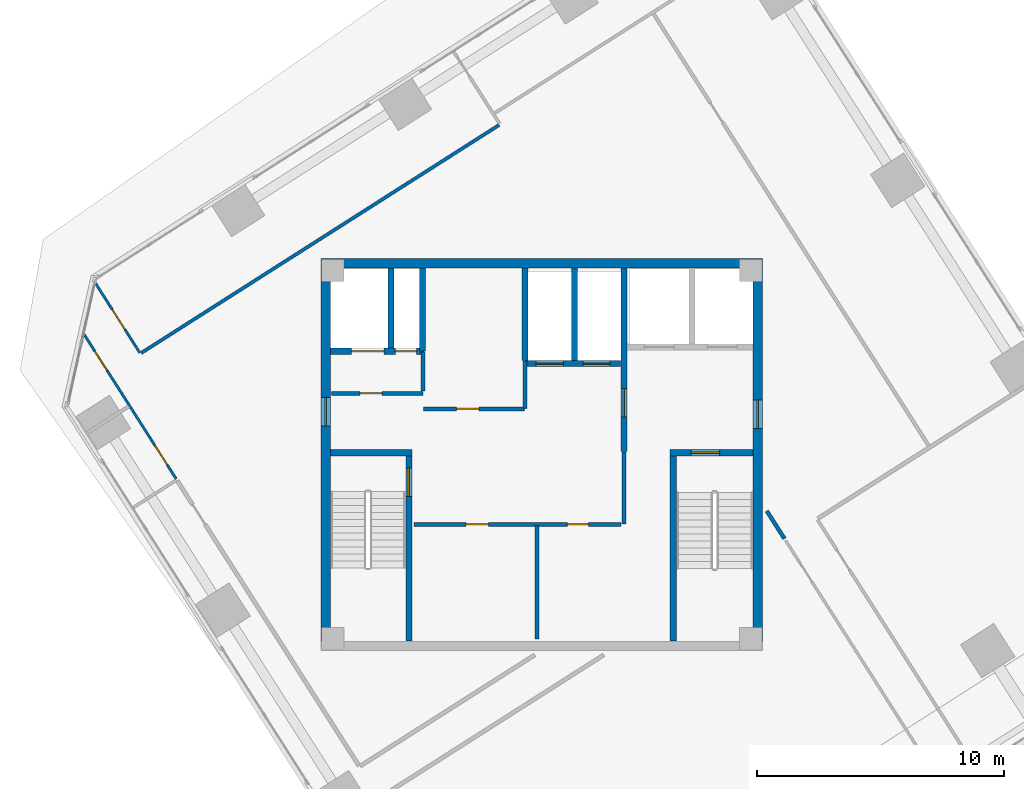
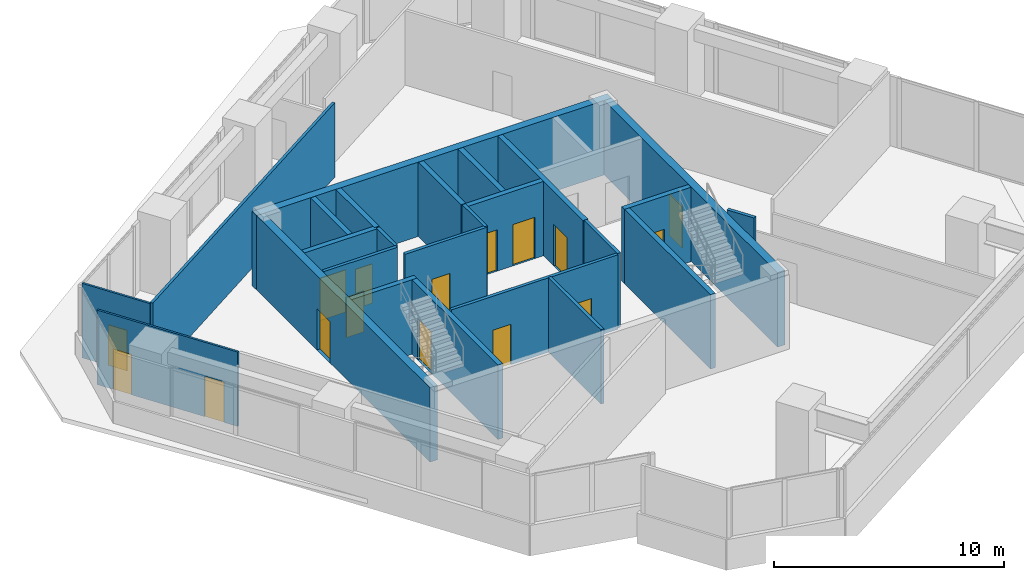
# One storey, part 11 of 15: 25 walls, 16 doors, 16 openings.
"""IFC4 building model written with IfcOpenShell, lengths in metres."""

from ifc_helpers import new_model, si_unit, direction, frame, frame_2d, origin, place, context, subcontext, project, spatial, rectangle, extrude, source, transform, mapped, material, layer, layer_set, type_object, element, fill, save


model = new_model("IFC4")

# Units and contexts
model_context = context("Model", 3, precision=1e-05, world=origin(), true_north=direction((0.0, 1.0)))
body_context = subcontext(model_context, "Body", "Model", "MODEL_VIEW")
ifc_project = project(units=[si_unit("LENGTHUNIT", "METRE"), si_unit("AREAUNIT", "SQUARE_METRE"), si_unit("VOLUMEUNIT", "CUBIC_METRE"), si_unit("PLANEANGLEUNIT", "RADIAN"), si_unit("MASSUNIT", "GRAM", prefix="KILO")], contexts=[model_context])

# Site, building, storey
site_placement = place(None, origin())
site = spatial("IfcSite", under=ifc_project, at=site_placement, CompositionType="ELEMENT")
building_placement = place(site_placement, origin())
building = spatial("IfcBuilding", under=site, at=building_placement, Name="Torre Montelarca", CompositionType="ELEMENT")
storey_placement = place(building_placement, frame((0.0, 0.0, 307.199951171875)))
storey = spatial("IfcBuildingStorey", under=building, at=storey_placement, Name="L69", CompositionType="ELEMENT", Elevation=307.199951171875)

# Wall, opening, door
ifc_material_1 = material(Name="Concrete C40/50", Category="concrete")
ifc_layer_1 = layer(ifc_material_1, 0.25, Name="Concrete C40/50", Category="concrete")
ifc_layer_set_1 = layer_set([ifc_layer_1], Name="Concrete C40/50")
wall_type_1 = type_object("IfcWallType", Name="CW-SHAFT-250", PredefinedType="SHEAR", material=ifc_layer_set_1)
wall_1_placement = place(storey_placement, frame((12.625, 24.4599609375, 0.0), z_axis=(0.0, 0.0, 1.0), x_axis=(0.0, 1.0, 0.0)))
wall_1 = element("IfcWall", 1, at=wall_1_placement, inside=storey, type_object=wall_type_1, Name="L69 Core Shear Wall SH-ST1-E", PredefinedType="SHEAR", context=body_context, shape_type="SweptSolid", body=[
    extrude(rectangle(XDim=7.489990234375, YDim=0.25, at=frame_2d((3.7451171875, 0.0))), origin(), (0.0, 0.0, 1.0), 3.9599609375),
])
opening_1_placement = place(wall_1_placement, frame((5.85009765625, 0.0, 0.0)))
opening_1 = element("IfcOpeningElement", 2, at=opening_1_placement, cuts=wall_1, Name="Opening FD-ST1", PredefinedType="OPENING", context=body_context, shape_type="SweptSolid", body=[
    extrude(rectangle(XDim=1.14990234375, YDim=2.199951171875, at=frame_2d((0.574951171875, 1.10009765625))), frame((0.0, 0.135009765625, 0.0), z_axis=(0.0, -1.0, 0.0), x_axis=(1.0, 0.0, 0.0)), (0.0, 0.0, 1.0), 0.27001953125),
])
ifc_material_2 = material(Name="Galvanized steel fire door", Category="steel")
door_type_1 = type_object("IfcDoorType", Name="DR-STAIR-115", OperationType="NOTDEFINED", PredefinedType="DOOR", material=ifc_material_2)
shared_shape_1 = source(origin(), body_context, "Body", "SweptSolid", [
    extrude(rectangle(XDim=1.14990234375, YDim=2.199951171875, at=frame_2d((0.574951171875, 1.10009765625))), frame((0.0, 0.02490234375, 0.0), z_axis=(0.0, -1.0, 0.0), x_axis=(1.0, 0.0, 0.0)), (0.0, 0.0, 1.0), 0.050048828125),
])
door_1_placement = place(opening_1_placement, origin())
door_1 = element("IfcDoor", 3, at=door_1_placement, inside=storey, type_object=door_type_1, Name="L69 Exit Stair ST1 Fire Door", OperationType="SINGLE_SWING_RIGHT", OverallHeight=2.199951171875, OverallWidth=1.14990234375, PredefinedType="DOOR", context=body_context, shape_type="MappedRepresentation", body=[
    mapped(shared_shape_1, transform((0.0, 0.0, 0.0), scale=1.0)),
])
fill(opening_1, door_1)

# Walls
wall_2_placement = place(storey_placement, frame((9.4599609375, 32.074951171875, 0.0), z_axis=(0.0, 0.0, 1.0), x_axis=(1.0, 0.0, 0.0)))
element("IfcWall", 4, at=wall_2_placement, inside=storey, type_object=wall_type_1, Name="L69 Core Shear Wall SH-ST1-N", PredefinedType="SHEAR", context=body_context, shape_type="SweptSolid", body=[
    extrude(rectangle(XDim=3.2900390625, YDim=0.25, at=frame_2d((1.64501953125, 0.0))), origin(), (0.0, 0.0, 1.0), 3.9599609375),
])
wall_3_placement = place(storey_placement, frame((23.31494140625, 24.4599609375, 0.0), z_axis=(0.0, 0.0, 1.0), x_axis=(0.0, 1.0, 0.0)))
element("IfcWall", 5, at=wall_3_placement, inside=storey, type_object=wall_type_1, Name="L69 Core Shear Wall SH-ST2-W", PredefinedType="SHEAR", context=body_context, shape_type="SweptSolid", body=[
    extrude(rectangle(XDim=7.489990234375, YDim=0.25, at=frame_2d((3.7451171875, 0.0))), origin(), (0.0, 0.0, 1.0), 3.9599609375),
])

# Wall, opening, door
wall_4_placement = place(storey_placement, frame((23.18994140625, 32.074951171875, 0.0), z_axis=(0.0, 0.0, 1.0), x_axis=(1.0, 0.0, 0.0)))
wall_4 = element("IfcWall", 6, at=wall_4_placement, inside=storey, type_object=wall_type_1, Name="L69 Core Shear Wall SH-ST2-N", PredefinedType="SHEAR", context=body_context, shape_type="SweptSolid", body=[
    extrude(rectangle(XDim=3.35009765625, YDim=0.25, at=frame_2d((1.675048828125, 0.0))), origin(), (0.0, 0.0, 1.0), 3.9599609375),
])
opening_2_placement = place(wall_4_placement, frame((0.85009765625, 0.0, 0.0)))
opening_2 = element("IfcOpeningElement", 7, at=opening_2_placement, cuts=wall_4, Name="Opening FD-ST1", PredefinedType="OPENING", context=body_context, shape_type="SweptSolid", body=[
    extrude(rectangle(XDim=1.14990234375, YDim=2.199951171875, at=frame_2d((0.574951171875, 1.10009765625))), frame((0.0, 0.135009765625, 0.0), z_axis=(0.0, -1.0, 0.0), x_axis=(1.0, 0.0, 0.0)), (0.0, 0.0, 1.0), 0.27001953125),
])
door_2_placement = place(opening_2_placement, origin())
door_2 = element("IfcDoor", 8, at=door_2_placement, inside=storey, type_object=door_type_1, Name="L69 Exit Stair ST2 Fire Door", OperationType="SINGLE_SWING_RIGHT", OverallHeight=2.199951171875, OverallWidth=1.14990234375, PredefinedType="DOOR", context=body_context, shape_type="MappedRepresentation", body=[
    mapped(shared_shape_1, transform((0.0, 0.0, 0.0), scale=1.0)),
])
fill(opening_2, door_2)

wall_5_placement = place(storey_placement, frame((21.320068359375, 32.1201171875, 0.0), z_axis=(0.0, 0.0, 1.0), x_axis=(0.0, 1.0, 0.0)))
wall_5 = element("IfcWall", 9, at=wall_5_placement, inside=storey, type_object=wall_type_1, Name="L69 Core Shear Wall SH-FFL-W", PredefinedType="SHEAR", context=body_context, shape_type="SweptSolid", body=[
    extrude(rectangle(XDim=7.419921875, YDim=0.25, at=frame_2d((3.7099609375, 0.0))), origin(), (0.0, 0.0, 1.0), 3.9599609375),
])
opening_3_placement = place(wall_5_placement, frame((1.39990234375, 0.0, 0.0)))
opening_3 = element("IfcOpeningElement", 10, at=opening_3_placement, cuts=wall_5, Name="Opening FD-LB1", PredefinedType="OPENING", context=body_context, shape_type="SweptSolid", body=[
    extrude(rectangle(XDim=1.14990234375, YDim=2.199951171875, at=frame_2d((0.574951171875, 1.10009765625))), frame((0.0, 0.135009765625, 0.0), z_axis=(0.0, -1.0, 0.0), x_axis=(1.0, 0.0, 0.0)), (0.0, 0.0, 1.0), 0.27001953125),
])
ifc_material_3 = material(Name="Acoustic timber-veneered fire door", Category="wood")
door_type_2 = type_object("IfcDoorType", Name="DR-LOBBY-115", OperationType="NOTDEFINED", PredefinedType="DOOR", material=ifc_material_3)
shared_shape_2 = source(origin(), body_context, "Body", "SweptSolid", [
    extrude(rectangle(XDim=1.14990234375, YDim=2.199951171875, at=frame_2d((0.574951171875, 1.10009765625))), frame((0.0, 0.02490234375, 0.0), z_axis=(0.0, -1.0, 0.0), x_axis=(1.0, 0.0, 0.0)), (0.0, 0.0, 1.0), 0.050048828125),
])
door_3_placement = place(opening_3_placement, origin())
door_3 = element("IfcDoor", 11, at=door_3_placement, inside=storey, type_object=door_type_2, Name="L69 Lift Lobby to Firefighting Lobby Smoke Door", OperationType="SINGLE_SWING_LEFT", OverallHeight=2.199951171875, OverallWidth=1.14990234375, PredefinedType="DOOR", context=body_context, shape_type="MappedRepresentation", body=[
    mapped(shared_shape_2, transform((0.0, 0.0, 0.0), scale=1.0)),
])
fill(opening_3, door_3)

# Wall, openings, doors
wall_6_placement = place(storey_placement, frame((9.4599609375, 36.179931640625, 0.0), z_axis=(0.0, 0.0, 1.0), x_axis=(1.0, 0.0, 0.0)))
wall_6 = element("IfcWall", 12, at=wall_6_placement, inside=storey, type_object=wall_type_1, Name="L69 Core Shear Wall SH-SV1-S", PredefinedType="SHEAR", context=body_context, shape_type="SweptSolid", body=[
    extrude(rectangle(XDim=3.7900390625, YDim=0.25, at=frame_2d((1.89501953125, 0.0))), origin(), (0.0, 0.0, 1.0), 3.9599609375),
])
opening_4_placement = place(wall_6_placement, frame((2.6201171875, 0.0, 0.0)))
opening_4 = element("IfcOpeningElement", 13, at=opening_4_placement, cuts=wall_6, Name="Opening FD-085", PredefinedType="OPENING", context=body_context, shape_type="SweptSolid", body=[
    extrude(rectangle(XDim=0.85009765625, YDim=2.10009765625, at=frame_2d((0.425048828125, 1.050048828125))), frame((0.0, 0.135009765625, 0.0), z_axis=(0.0, -1.0, 0.0), x_axis=(1.0, 0.0, 0.0)), (0.0, 0.0, 1.0), 0.27001953125),
])
opening_5_placement = place(wall_6_placement, frame((0.85009765625, 0.0, 0.0)))
opening_5 = element("IfcOpeningElement", 14, at=opening_5_placement, cuts=wall_6, Name="Opening LD-130", PredefinedType="OPENING", context=body_context, shape_type="SweptSolid", body=[
    extrude(rectangle(XDim=1.300048828125, YDim=2.25, at=frame_2d((0.64990234375, 1.125))), frame((0.0, 0.135009765625, 0.0), z_axis=(0.0, -1.0, 0.0), x_axis=(1.0, 0.0, 0.0)), (0.0, 0.0, 1.0), 0.27001953125),
])
ifc_material_4 = material(Name="Steel riser access fire door", Category="steel")
door_type_3 = type_object("IfcDoorType", Name="DR-RISER-085", OperationType="NOTDEFINED", PredefinedType="DOOR", material=ifc_material_4)
shared_shape_3 = source(origin(), body_context, "Body", "SweptSolid", [
    extrude(rectangle(XDim=0.85009765625, YDim=2.10009765625, at=frame_2d((0.425048828125, 1.050048828125))), frame((0.0, 0.02490234375, 0.0), z_axis=(0.0, -1.0, 0.0), x_axis=(1.0, 0.0, 0.0)), (0.0, 0.0, 1.0), 0.050048828125),
])
door_4_placement = place(opening_4_placement, origin())
door_4 = element("IfcDoor", 15, at=door_4_placement, inside=storey, type_object=door_type_3, Name="L69 Electrical Riser Shaft Access Door", OperationType="SINGLE_SWING_RIGHT", OverallHeight=2.10009765625, OverallWidth=0.85009765625, PredefinedType="DOOR", context=body_context, shape_type="MappedRepresentation", body=[
    mapped(shared_shape_3, transform((0.0, 0.0, 0.0), scale=1.0)),
])
fill(opening_4, door_4)
ifc_material_5 = material(Name="Brushed stainless steel AISI 316", Category="steel")
door_type_4 = type_object("IfcDoorType", Name="DR-LIFT-130", OperationType="SLIDING_TO_LEFT", PredefinedType="DOOR", material=ifc_material_5)
shared_shape_4 = source(origin(), body_context, "Body", "SweptSolid", [
    extrude(rectangle(XDim=1.300048828125, YDim=2.25, at=frame_2d((0.64990234375, 1.125))), frame((0.0, 0.02490234375, 0.0), z_axis=(0.0, -1.0, 0.0), x_axis=(1.0, 0.0, 0.0)), (0.0, 0.0, 1.0), 0.050048828125),
])
door_5_placement = place(opening_5_placement, origin())
door_5 = element("IfcDoor", 16, at=door_5_placement, inside=storey, type_object=door_type_4, Name="L69 Lift Landing Sliding Door SV-1", OperationType="SLIDING_TO_LEFT", OverallHeight=2.25, OverallWidth=1.300048828125, PredefinedType="DOOR", context=body_context, shape_type="MappedRepresentation", body=[
    mapped(shared_shape_4, transform((0.0, 0.0, 0.0), scale=1.0)),
])
fill(opening_5, door_5)

# Walls
wall_7_placement = place(storey_placement, frame((11.89990234375, 36.31005859375, 0.0), z_axis=(0.0, 0.0, 1.0), x_axis=(0.0, 1.0, 0.0)))
element("IfcWall", 17, at=wall_7_placement, inside=storey, type_object=wall_type_1, Name="L69 Core Shear Wall SH-SV1-E", PredefinedType="SHEAR", context=body_context, shape_type="SweptSolid", body=[
    extrude(rectangle(XDim=3.22998046875, YDim=0.25, at=frame_2d((1.614990234375, 0.0))), origin(), (0.0, 0.0, 1.0), 3.9599609375),
])
wall_8_placement = place(storey_placement, frame((13.179931640625, 36.199951171875, 0.0), z_axis=(0.0, 0.0, 1.0), x_axis=(0.0, 1.0, 0.0)))
element("IfcWall", 18, at=wall_8_placement, inside=storey, type_object=wall_type_1, Name="L69 Core Shear Wall SH-RSR1-E", PredefinedType="SHEAR", context=body_context, shape_type="SweptSolid", body=[
    extrude(rectangle(XDim=3.340087890625, YDim=0.25, at=frame_2d((1.669921875, 0.0))), origin(), (0.0, 0.0, 1.0), 3.9599609375),
])

# Wall, openings, doors
wall_9_placement = place(storey_placement, frame((17.320068359375, 35.679931640625, 0.0), z_axis=(0.0, 0.0, 1.0), x_axis=(1.0, 0.0, 0.0)))
wall_9 = element("IfcWall", 19, at=wall_9_placement, inside=storey, type_object=wall_type_1, Name="L69 Core Shear Wall SH-PLH-S", PredefinedType="SHEAR", context=body_context, shape_type="SweptSolid", body=[
    extrude(rectangle(XDim=3.869873046875, YDim=0.25, at=frame_2d((1.93505859375, 0.0))), origin(), (0.0, 0.0, 1.0), 3.9599609375),
])
opening_6_placement = place(wall_9_placement, frame((0.449951171875, 0.0, 0.0)))
opening_6 = element("IfcOpeningElement", 20, at=opening_6_placement, cuts=wall_9, Name="Opening LD-110", PredefinedType="OPENING", context=body_context, shape_type="SweptSolid", body=[
    extrude(rectangle(XDim=1.10009765625, YDim=2.199951171875, at=frame_2d((0.550048828125, 1.10009765625))), frame((0.0, 0.135009765625, 0.0), z_axis=(0.0, -1.0, 0.0), x_axis=(1.0, 0.0, 0.0)), (0.0, 0.0, 1.0), 0.27001953125),
])
opening_7_placement = place(wall_9_placement, frame((2.35009765625, 0.0, 0.0)))
opening_7 = element("IfcOpeningElement", 21, at=opening_7_placement, cuts=wall_9, Name="Opening LD-110", PredefinedType="OPENING", context=body_context, shape_type="SweptSolid", body=[
    extrude(rectangle(XDim=1.10009765625, YDim=2.199951171875, at=frame_2d((0.550048828125, 1.10009765625))), frame((0.0, 0.135009765625, 0.0), z_axis=(0.0, -1.0, 0.0), x_axis=(1.0, 0.0, 0.0)), (0.0, 0.0, 1.0), 0.27001953125),
])
door_type_5 = type_object("IfcDoorType", Name="DR-LIFT-110", OperationType="SLIDING_TO_LEFT", PredefinedType="DOOR", material=ifc_material_5)
shared_shape_5 = source(origin(), body_context, "Body", "SweptSolid", [
    extrude(rectangle(XDim=1.10009765625, YDim=2.199951171875, at=frame_2d((0.550048828125, 1.10009765625))), frame((0.0, 0.02490234375, 0.0), z_axis=(0.0, -1.0, 0.0), x_axis=(1.0, 0.0, 0.0)), (0.0, 0.0, 1.0), 0.050048828125),
])
door_6_placement = place(opening_6_placement, origin())
door_6 = element("IfcDoor", 22, at=door_6_placement, inside=storey, type_object=door_type_5, Name="L69 Lift Landing Sliding Door PL-H1", OperationType="SLIDING_TO_LEFT", OverallHeight=2.199951171875, OverallWidth=1.10009765625, PredefinedType="DOOR", context=body_context, shape_type="MappedRepresentation", body=[
    mapped(shared_shape_5, transform((0.0, 0.0, 0.0), scale=1.0)),
])
fill(opening_6, door_6)
door_7_placement = place(opening_7_placement, origin())
door_7 = element("IfcDoor", 23, at=door_7_placement, inside=storey, type_object=door_type_5, Name="L69 Lift Landing Sliding Door PL-H2", OperationType="SLIDING_TO_RIGHT", OverallHeight=2.199951171875, OverallWidth=1.10009765625, PredefinedType="DOOR", context=body_context, shape_type="MappedRepresentation", body=[
    mapped(shared_shape_5, transform((0.0, 0.0, 0.0), scale=1.0)),
])
fill(opening_7, door_7)

# Walls
for number, where, z_axis, x_axis, name in (
    (24, (17.320068359375, 35.81005859375, 0.0), (0.0, 0.0, 1.0), (0.0, 1.0, 0.0), "L69 Core Shear Wall SH-PLH-W"),
    (25, (19.320068359375, 35.81005859375, 0.0), (0.0, 0.0, 1.0), (0.0, 1.0, 0.0), "L69 Core Shear Wall SH-PLH-M"),
):
    element("IfcWall", number, at=place(storey_placement, frame(where, z_axis=z_axis, x_axis=x_axis)), inside=storey, type_object=wall_type_1, Name=name, PredefinedType="SHEAR", context=body_context, shape_type="SweptSolid", body=[
        extrude(rectangle(XDim=3.72998046875, YDim=0.25, at=frame_2d((1.864990234375, 0.0))), origin(), (0.0, 0.0, 1.0), 3.9599609375),
    ])

# Wall, opening, door
ifc_layer_2 = layer(ifc_material_1, 0.3798828125, Name="Concrete C40/50", Category="concrete")
ifc_layer_set_2 = layer_set([ifc_layer_2], Name="Concrete C40/50")
wall_type_2 = type_object("IfcWallType", Name="CW-SHEAR-380", PredefinedType="SHEAR", material=ifc_layer_set_2)
wall_10_placement = place(storey_placement, frame((9.260009765625, 24.449951171875, 0.0), z_axis=(0.0, 0.0, 1.0), x_axis=(0.0, 1.0, 0.0)))
wall_10 = element("IfcWall", 26, at=wall_10_placement, inside=storey, type_object=wall_type_2, Name="L69 Core Shear Wall CW-W", PredefinedType="SHEAR", context=body_context, shape_type="SweptSolid", body=[
    extrude(rectangle(XDim=15.10009765625, YDim=0.3798828125, at=frame_2d((7.550048828125, 0.0))), origin(), (0.0, 0.0, 1.0), 3.9599609375),
])
opening_8_placement = place(wall_10_placement, frame((8.699951171875, 0.0, 0.0)))
opening_8 = element("IfcOpeningElement", 27, at=opening_8_placement, cuts=wall_10, Name="Opening FD-LB1", PredefinedType="OPENING", context=body_context, shape_type="SweptSolid", body=[
    extrude(rectangle(XDim=1.14990234375, YDim=2.199951171875, at=frame_2d((0.574951171875, 1.10009765625))), frame((0.0, 0.199951171875, 0.0), z_axis=(0.0, -1.0, 0.0), x_axis=(1.0, 0.0, 0.0)), (0.0, 0.0, 1.0), 0.39990234375),
])
door_8_placement = place(opening_8_placement, origin())
door_8 = element("IfcDoor", 28, at=door_8_placement, inside=storey, type_object=door_type_2, Name="L69 Passenger Lift Lobby West Corridor Fire Door", OperationType="SINGLE_SWING_RIGHT", OverallHeight=2.199951171875, OverallWidth=1.14990234375, PredefinedType="DOOR", context=body_context, shape_type="MappedRepresentation", body=[
    mapped(shared_shape_2, transform((0.0, 0.0, 0.0), scale=1.0)),
])
fill(opening_8, door_8)

wall_11_placement = place(storey_placement, frame((26.739990234375, 24.449951171875, 0.0), z_axis=(0.0, 0.0, 1.0), x_axis=(0.0, 1.0, 0.0)))
wall_11 = element("IfcWall", 29, at=wall_11_placement, inside=storey, type_object=wall_type_2, Name="L69 Core Shear Wall CW-E", PredefinedType="SHEAR", context=body_context, shape_type="SweptSolid", body=[
    extrude(rectangle(XDim=15.10009765625, YDim=0.3798828125, at=frame_2d((7.550048828125, 0.0))), origin(), (0.0, 0.0, 1.0), 3.9599609375),
])
opening_9_placement = place(wall_11_placement, frame((8.60009765625, 0.0, 0.0)))
opening_9 = element("IfcOpeningElement", 30, at=opening_9_placement, cuts=wall_11, Name="Opening FD-LB1", PredefinedType="OPENING", context=body_context, shape_type="SweptSolid", body=[
    extrude(rectangle(XDim=1.14990234375, YDim=2.199951171875, at=frame_2d((0.574951171875, 1.10009765625))), frame((0.0, 0.199951171875, 0.0), z_axis=(0.0, -1.0, 0.0), x_axis=(1.0, 0.0, 0.0)), (0.0, 0.0, 1.0), 0.39990234375),
])
door_9_placement = place(opening_9_placement, origin())
door_9 = element("IfcDoor", 31, at=door_9_placement, inside=storey, type_object=door_type_2, Name="L69 Firefighting Lift Lobby Corridor Fire Door", OperationType="SINGLE_SWING_RIGHT", OverallHeight=2.199951171875, OverallWidth=1.14990234375, PredefinedType="DOOR", context=body_context, shape_type="MappedRepresentation", body=[
    mapped(shared_shape_2, transform((0.0, 0.0, 0.0), scale=1.0)),
])
fill(opening_9, door_9)

# Wall
wall_12_placement = place(storey_placement, frame((9.070068359375, 39.739990234375, 0.0), z_axis=(0.0, 0.0, 1.0), x_axis=(1.0, 0.0, 0.0)))
element("IfcWall", 32, at=wall_12_placement, inside=storey, type_object=wall_type_2, Name="L69 Core Shear Wall CW-N1", PredefinedType="SHEAR", context=body_context, shape_type="SweptSolid", body=[
    extrude(rectangle(XDim=17.85986328125, YDim=0.3798828125, at=frame_2d((8.929931640625, 0.0))), origin(), (0.0, 0.0, 1.0), 3.9599609375),
])

# Wall, opening, door
ifc_material_6 = material(Name="Gypsum plasterboard on steel stud", Category="steel")
ifc_layer_3 = layer(ifc_material_6, 0.159912109375, Name="Gypsum plasterboard on steel stud", Category="steel")
ifc_layer_set_3 = layer_set([ifc_layer_3], Name="Gypsum plasterboard on steel stud")
wall_type_3 = type_object("IfcWallType", Name="PW-FIRE-160", PredefinedType="PARTITIONING", material=ifc_layer_set_3)
wall_13_placement = place(storey_placement, frame((9.489990234375, 34.47998046875, 0.0), z_axis=(0.0, 0.0, 1.0), x_axis=(1.0, 0.0, 0.0)))
wall_13 = element("IfcWall", 33, at=wall_13_placement, inside=storey, type_object=wall_type_3, Name="L69 Interior Partition CW-L69-SVS", PredefinedType="PARTITIONING", context=body_context, shape_type="SweptSolid", body=[
    extrude(rectangle(XDim=3.699951171875, YDim=0.159912109375, at=frame_2d((1.85009765625, 0.0))), origin(), (0.0, 0.0, 1.0), 3.9599609375),
])
opening_10_placement = place(wall_13_placement, frame((1.14990234375, 0.0, 0.0)))
opening_10 = element("IfcOpeningElement", 34, at=opening_10_placement, cuts=wall_13, Name="Opening FD-090", PredefinedType="OPENING", context=body_context, shape_type="SweptSolid", body=[
    extrude(rectangle(XDim=0.89990234375, YDim=2.14990234375, at=frame_2d((0.449951171875, 1.074951171875))), frame((0.0, 0.08984375, 0.0), z_axis=(0.0, -1.0, 0.0), x_axis=(1.0, 0.0, 0.0)), (0.0, 0.0, 1.0), 0.179931640625),
])
ifc_material_7 = material(Name="Steel service fire door", Category="steel")
door_type_6 = type_object("IfcDoorType", Name="DR-FIRE-090", OperationType="NOTDEFINED", PredefinedType="DOOR", material=ifc_material_7)
shared_shape_6 = source(origin(), body_context, "Body", "SweptSolid", [
    extrude(rectangle(XDim=0.89990234375, YDim=2.14990234375, at=frame_2d((0.449951171875, 1.074951171875))), frame((0.0, 0.02490234375, 0.0), z_axis=(0.0, -1.0, 0.0), x_axis=(1.0, 0.0, 0.0)), (0.0, 0.0, 1.0), 0.050048828125),
])
door_10_placement = place(opening_10_placement, origin())
door_10 = element("IfcDoor", 35, at=door_10_placement, inside=storey, type_object=door_type_6, Name="L69 Interior Door 01", OperationType="SINGLE_SWING_RIGHT", OverallHeight=2.14990234375, OverallWidth=0.89990234375, PredefinedType="DOOR", context=body_context, shape_type="MappedRepresentation", body=[
    mapped(shared_shape_6, transform((0.0, 0.0, 0.0), scale=1.0)),
])
fill(opening_10, door_10)

# Wall
wall_14_placement = place(storey_placement, frame((13.199951171875, 34.570068359375, 0.0), z_axis=(0.0, 0.0, 1.0), x_axis=(0.0, 1.0, 0.0)))
element("IfcWall", 36, at=wall_14_placement, inside=storey, type_object=wall_type_3, Name="L69 Interior Partition CW-L69-SVE", PredefinedType="PARTITIONING", context=body_context, shape_type="SweptSolid", body=[
    extrude(rectangle(XDim=1.56982421875, YDim=0.159912109375, at=frame_2d((0.784912109375, 0.0))), origin(), (0.0, 0.0, 1.0), 3.9599609375),
])

# Wall, opening, door
wall_15_placement = place(storey_placement, frame((13.2099609375, 33.85009765625, 0.0), z_axis=(0.0, 0.0, 1.0), x_axis=(1.0, 0.0, 0.0)))
wall_15 = element("IfcWall", 37, at=wall_15_placement, inside=storey, type_object=wall_type_3, Name="L69 Interior Partition CW-L69-FRMS", PredefinedType="PARTITIONING", context=body_context, shape_type="SweptSolid", body=[
    extrude(rectangle(XDim=4.10009765625, YDim=0.159912109375, at=frame_2d((2.050048828125, 0.0))), origin(), (0.0, 0.0, 1.0), 3.9599609375),
])
opening_11_placement = place(wall_15_placement, frame((1.35009765625, 0.0, 0.0)))
opening_11 = element("IfcOpeningElement", 38, at=opening_11_placement, cuts=wall_15, Name="Opening FD-090", PredefinedType="OPENING", context=body_context, shape_type="SweptSolid", body=[
    extrude(rectangle(XDim=0.89990234375, YDim=2.14990234375, at=frame_2d((0.449951171875, 1.074951171875))), frame((0.0, 0.08984375, 0.0), z_axis=(0.0, -1.0, 0.0), x_axis=(1.0, 0.0, 0.0)), (0.0, 0.0, 1.0), 0.179931640625),
])
door_11_placement = place(opening_11_placement, origin())
door_11 = element("IfcDoor", 39, at=door_11_placement, inside=storey, type_object=door_type_6, Name="L69 Interior Door 02", OperationType="SINGLE_SWING_LEFT", OverallHeight=2.14990234375, OverallWidth=0.89990234375, PredefinedType="DOOR", context=body_context, shape_type="MappedRepresentation", body=[
    mapped(shared_shape_6, transform((0.0, 0.0, 0.0), scale=1.0)),
])
fill(opening_11, door_11)

# Wall
wall_16_placement = place(storey_placement, frame((17.320068359375, 33.860107421875, 0.0), z_axis=(0.0, 0.0, 1.0), x_axis=(0.0, 1.0, 0.0)))
element("IfcWall", 40, at=wall_16_placement, inside=storey, type_object=wall_type_3, Name="L69 Interior Partition CW-L69-FRME", PredefinedType="PARTITIONING", context=body_context, shape_type="SweptSolid", body=[
    extrude(rectangle(XDim=1.929931640625, YDim=0.159912109375, at=frame_2d((0.96484375, 0.0))), origin(), (0.0, 0.0, 1.0), 3.9599609375),
])

# Wall, openings, doors
wall_17_placement = place(storey_placement, frame((12.840087890625, 29.179931640625, 0.0), z_axis=(0.0, 0.0, 1.0), x_axis=(1.0, 0.0, 0.0)))
wall_17 = element("IfcWall", 41, at=wall_17_placement, inside=storey, type_object=wall_type_3, Name="L69 Interior Partition CW-L69-FRDN", PredefinedType="PARTITIONING", context=body_context, shape_type="SweptSolid", body=[
    extrude(rectangle(XDim=8.369873046875, YDim=0.159912109375, at=frame_2d((4.18505859375, 0.0))), origin(), (0.0, 0.0, 1.0), 3.9599609375),
])
opening_12_placement = place(wall_17_placement, frame((2.10009765625, 0.0, 0.0)))
opening_12 = element("IfcOpeningElement", 42, at=opening_12_placement, cuts=wall_17, Name="Opening FD-090", PredefinedType="OPENING", context=body_context, shape_type="SweptSolid", body=[
    extrude(rectangle(XDim=0.89990234375, YDim=2.14990234375, at=frame_2d((0.449951171875, 1.074951171875))), frame((0.0, 0.08984375, 0.0), z_axis=(0.0, -1.0, 0.0), x_axis=(1.0, 0.0, 0.0)), (0.0, 0.0, 1.0), 0.179931640625),
])
opening_13_placement = place(wall_17_placement, frame((6.199951171875, 0.0, 0.0)))
opening_13 = element("IfcOpeningElement", 43, at=opening_13_placement, cuts=wall_17, Name="Opening FD-085", PredefinedType="OPENING", context=body_context, shape_type="SweptSolid", body=[
    extrude(rectangle(XDim=0.85009765625, YDim=2.10009765625, at=frame_2d((0.425048828125, 1.050048828125))), frame((0.0, 0.08984375, 0.0), z_axis=(0.0, -1.0, 0.0), x_axis=(1.0, 0.0, 0.0)), (0.0, 0.0, 1.0), 0.179931640625),
])
door_12_placement = place(opening_13_placement, origin())
door_12 = element("IfcDoor", 44, at=door_12_placement, inside=storey, type_object=door_type_3, Name="L69 Interior Door 04", OperationType="SINGLE_SWING_LEFT", OverallHeight=2.10009765625, OverallWidth=0.85009765625, PredefinedType="DOOR", context=body_context, shape_type="MappedRepresentation", body=[
    mapped(shared_shape_3, transform((0.0, 0.0, 0.0), scale=1.0)),
])
fill(opening_13, door_12)
door_13_placement = place(opening_12_placement, origin())
door_13 = element("IfcDoor", 45, at=door_13_placement, inside=storey, type_object=door_type_6, Name="L69 Interior Door 03", OperationType="SINGLE_SWING_RIGHT", OverallHeight=2.14990234375, OverallWidth=0.89990234375, PredefinedType="DOOR", context=body_context, shape_type="MappedRepresentation", body=[
    mapped(shared_shape_6, transform((0.0, 0.0, 0.0), scale=1.0)),
])
fill(opening_12, door_13)

# Walls
wall_18_placement = place(storey_placement, frame((17.800048828125, 24.5400390625, 0.0), z_axis=(0.0, 0.0, 1.0), x_axis=(0.0, 1.0, 0.0)))
element("IfcWall", 46, at=wall_18_placement, inside=storey, type_object=wall_type_3, Name="L69 Interior Partition CW-L69-FRD1", PredefinedType="PARTITIONING", context=body_context, shape_type="SweptSolid", body=[
    extrude(rectangle(XDim=4.599853515625, YDim=0.159912109375, at=frame_2d((2.2998046875, 0.0))), origin(), (0.0, 0.0, 1.0), 3.9599609375),
])
wall_19_placement = place(storey_placement, frame((21.320068359375, 29.18994140625, 0.0), z_axis=(0.0, 0.0, 1.0), x_axis=(0.0, 1.0, 0.0)))
element("IfcWall", 47, at=wall_19_placement, inside=storey, type_object=wall_type_3, Name="L69 Interior Partition CW-L69-FRE", PredefinedType="PARTITIONING", context=body_context, shape_type="SweptSolid", body=[
    extrude(rectangle(XDim=2.920166015625, YDim=0.159912109375, at=frame_2d((1.4599609375, 0.0))), origin(), (0.0, 0.0, 1.0), 3.9599609375),
])
wall_20_placement = place(storey_placement, frame((27.1015625, 29.721435546875, 0.0), z_axis=(0.0, 0.0, 1.0), x_axis=(0.537279676557, -0.843404143432, 0.0)))
element("IfcWall", 48, at=wall_20_placement, inside=storey, type_object=wall_type_3, Name="L69 Interior Partition W-L69-SOCCN3", PredefinedType="PARTITIONING", context=body_context, shape_type="SweptSolid", body=[
    extrude(rectangle(XDim=1.32861328125, YDim=0.159912109375, at=frame_2d((0.664306640625, 0.0))), origin(), (0.0, 0.0, 1.0), 3.9599609375),
])

# Wall, openings, doors
ifc_material_8 = material(Name="Acoustic laminated glass partition", Category="glass")
ifc_layer_4 = layer(ifc_material_8, 0.10009765625, Name="Acoustic laminated glass partition", Category="glass")
ifc_layer_set_4 = layer_set([ifc_layer_4], Name="Acoustic laminated glass partition")
wall_type_4 = type_object("IfcWallType", Name="PW-GLAZ-100", PredefinedType="PARTITIONING", material=ifc_layer_set_4)
wall_21_placement = place(storey_placement, frame((-0.501708984375, 36.85009765625, 0.0), z_axis=(0.0, 0.0, 1.0), x_axis=(0.537309039539, -0.843385437407, 0.0)))
wall_21 = element("IfcWall", 49, at=wall_21_placement, inside=storey, type_object=wall_type_4, Name="L69 Interior Partition W-L69-WCN", PredefinedType="PARTITIONING", context=body_context, shape_type="SweptSolid", body=[
    extrude(rectangle(XDim=6.921875, YDim=0.10009765625, at=frame_2d((3.4609375, 0.0))), origin(), (0.0, 0.0, 1.0), 3.9599609375),
])
opening_14_placement = place(wall_21_placement, frame((0.800048828125, 0.0, 0.0)))
opening_14 = element("IfcOpeningElement", 50, at=opening_14_placement, cuts=wall_21, Name="Opening ID-090", PredefinedType="OPENING", context=body_context, shape_type="SweptSolid", body=[
    extrude(rectangle(XDim=0.89990234375, YDim=2.14990234375, at=frame_2d((0.449951171875, 1.074951171875))), frame((0.0, 0.06005859375, 0.0), z_axis=(0.0, -1.0, 0.0), x_axis=(1.0, 0.0, 0.0)), (0.0, 0.0, 1.0), 0.1201171875),
])
opening_15_placement = place(wall_21_placement, frame((5.300048828125, 0.0, 0.0)))
opening_15 = element("IfcOpeningElement", 51, at=opening_15_placement, cuts=wall_21, Name="Opening ID-095", PredefinedType="OPENING", context=body_context, shape_type="SweptSolid", body=[
    extrude(rectangle(XDim=0.949951171875, YDim=2.14990234375, at=frame_2d((0.47509765625, 1.074951171875))), frame((0.0, 0.06005859375, 0.0), z_axis=(0.0, -1.0, 0.0), x_axis=(1.0, 0.0, 0.0)), (0.0, 0.0, 1.0), 0.1201171875),
])
ifc_material_9 = material(Name="Hardwood acoustic timber veneer", Category="wood")
door_type_7 = type_object("IfcDoorType", Name="DR-INT-090", OperationType="NOTDEFINED", PredefinedType="DOOR", material=ifc_material_9)
shared_shape_7 = source(origin(), body_context, "Body", "SweptSolid", [
    extrude(rectangle(XDim=0.89990234375, YDim=2.14990234375, at=frame_2d((0.449951171875, 1.074951171875))), frame((0.0, 0.02490234375, 0.0), z_axis=(0.0, -1.0, 0.0), x_axis=(1.0, 0.0, 0.0)), (0.0, 0.0, 1.0), 0.050048828125),
])
door_14_placement = place(opening_14_placement, origin())
door_14 = element("IfcDoor", 52, at=door_14_placement, inside=storey, type_object=door_type_7, Name="L69 Interior Door 05", OperationType="SINGLE_SWING_LEFT", OverallHeight=2.14990234375, OverallWidth=0.89990234375, PredefinedType="DOOR", context=body_context, shape_type="MappedRepresentation", body=[
    mapped(shared_shape_7, transform((0.0, 0.0, 0.0), scale=1.0)),
])
fill(opening_14, door_14)
door_type_8 = type_object("IfcDoorType", Name="DR-INT-095", OperationType="NOTDEFINED", PredefinedType="DOOR", material=ifc_material_9)
shared_shape_8 = source(origin(), body_context, "Body", "SweptSolid", [
    extrude(rectangle(XDim=0.949951171875, YDim=2.14990234375, at=frame_2d((0.47509765625, 1.074951171875))), frame((0.0, 0.02490234375, 0.0), z_axis=(0.0, -1.0, 0.0), x_axis=(1.0, 0.0, 0.0)), (0.0, 0.0, 1.0), 0.050048828125),
])
door_15_placement = place(opening_15_placement, origin())
door_15 = element("IfcDoor", 53, at=door_15_placement, inside=storey, type_object=door_type_8, Name="L69 Interior Door 06", OperationType="SINGLE_SWING_RIGHT", OverallHeight=2.14990234375, OverallWidth=0.949951171875, PredefinedType="DOOR", context=body_context, shape_type="MappedRepresentation", body=[
    mapped(shared_shape_8, transform((0.0, 0.0, 0.0), scale=1.0)),
])
fill(opening_15, door_15)

# Wall, opening, door
wall_22_placement = place(storey_placement, frame((-0.04248046875, 38.921142578125, 0.0), z_axis=(0.0, 0.0, 1.0), x_axis=(0.537298651026, -0.843392055693, 0.0)))
wall_22 = element("IfcWall", 54, at=wall_22_placement, inside=storey, type_object=wall_type_4, Name="L69 Interior Partition W-L69-WPKS", PredefinedType="PARTITIONING", context=body_context, shape_type="SweptSolid", body=[
    extrude(rectangle(XDim=3.322021484375, YDim=0.10009765625, at=frame_2d((1.6611328125, 0.0))), origin(), (0.0, 0.0, 1.0), 3.9599609375),
])
opening_16_placement = place(wall_22_placement, frame((1.25, 0.0, 0.0)))
opening_16 = element("IfcOpeningElement", 55, at=opening_16_placement, cuts=wall_22, Name="Opening ID-095", PredefinedType="OPENING", context=body_context, shape_type="SweptSolid", body=[
    extrude(rectangle(XDim=0.949951171875, YDim=2.14990234375, at=frame_2d((0.47509765625, 1.074951171875))), frame((0.0, 0.06005859375, 0.0), z_axis=(0.0, -1.0, 0.0), x_axis=(1.0, 0.0, 0.0)), (0.0, 0.0, 1.0), 0.1201171875),
])
door_16_placement = place(opening_16_placement, origin())
door_16 = element("IfcDoor", 56, at=door_16_placement, inside=storey, type_object=door_type_8, Name="L69 Interior Door 09", OperationType="SINGLE_SWING_LEFT", OverallHeight=2.14990234375, OverallWidth=0.949951171875, PredefinedType="DOOR", context=body_context, shape_type="MappedRepresentation", body=[
    mapped(shared_shape_8, transform((0.0, 0.0, 0.0), scale=1.0)),
])
fill(opening_16, door_16)

# Wall
ifc_layer_5 = layer(ifc_material_6, 0.135009765625, Name="Gypsum plasterboard on steel stud", Category="steel")
ifc_layer_set_5 = layer_set([ifc_layer_5], Name="Gypsum plasterboard on steel stud")
wall_type_5 = type_object("IfcWallType", Name="PW-PART-135", PredefinedType="PARTITIONING", material=ifc_layer_set_5)
wall_23_placement = place(storey_placement, frame((1.797607421875, 36.107177734375, 0.0), z_axis=(0.0, 0.0, 1.0), x_axis=(0.843396745572, 0.537291289301, 0.0)))
element("IfcWall", 57, at=wall_23_placement, inside=storey, type_object=wall_type_5, Name="L69 Interior Partition W-L69-WPKE", PredefinedType="PARTITIONING", context=body_context, shape_type="SweptSolid", body=[
    extrude(rectangle(XDim=17.170166015625, YDim=0.135009765625, at=frame_2d((8.5849609375, 0.0))), origin(), (0.0, 0.0, 1.0), 3.9599609375),
])

save(model, "model.ifc")
